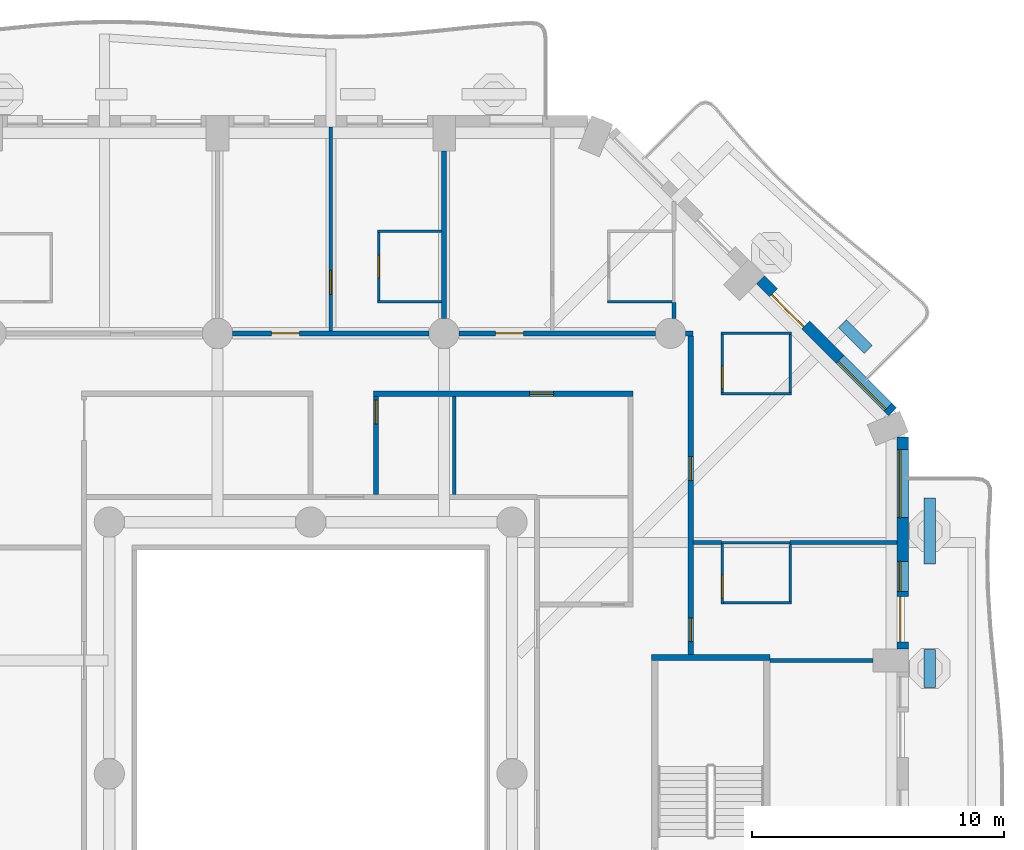
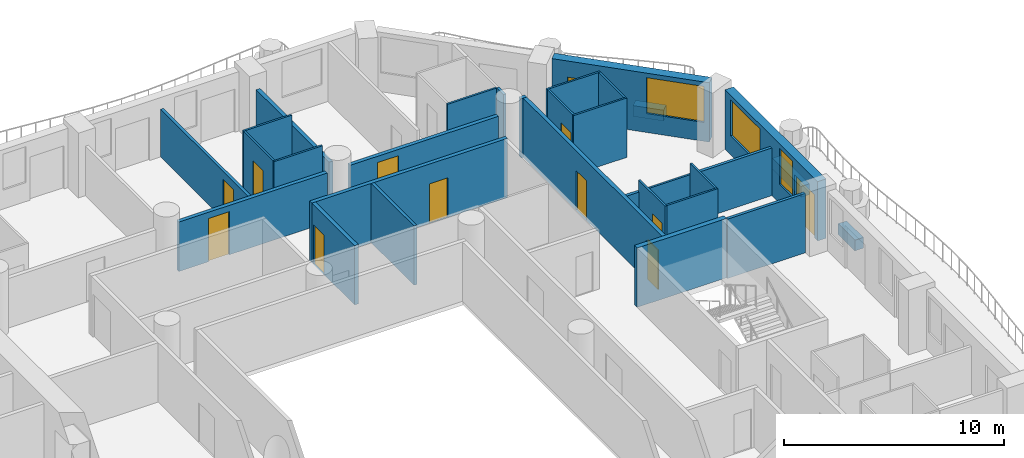
# One storey, part 9 of 20: 31 walls, 12 doors, 3 windows, 15 openings.
"""IFC4 building model written with IfcOpenShell, lengths in metres."""

import ifcopenshell
import ifcopenshell.guid

model = None  # the IFC model being written
_history = None  # IfcOwnerHistory: only IFC2X3 demands one
_inside = {}  # id of a spatial element -> (the spatial element, [elements in it])
_under = {}  # id of a project, library or spatial element -> (it, [spatial elements below it])
_declared = {}  # id of a project -> (the project, [libraries it declares])
_typed = {}  # id of a type object -> (the type object, [elements of that type])
_made_of = {}  # id of a material, layer set ... -> (it, [elements and type objects made of it])


def new_model(schema):
    """Start an empty IFC model of exactly this schema.

    Asked for "IFC4X3", IfcOpenShell would pick the latest addendum, in which some entities
    have other attributes; the version numbers below select the first issue.
    IFC2X3 requires an IfcOwnerHistory on every rooted entity: one is made here for all.
    """
    global model, _history
    if schema == "IFC4X3":
        model = ifcopenshell.file(schema_version=(4, 3, 0, 0))
    else:
        model = ifcopenshell.file(schema=schema)
    _inside.clear()
    _under.clear()
    _declared.clear()
    _typed.clear()
    _made_of.clear()
    _history = None
    if model.schema == "IFC2X3":
        org = make("IfcOrganization", Name="unknown")
        user = make(
            "IfcPersonAndOrganization",
            ThePerson=make("IfcPerson", FamilyName="unknown"),
            TheOrganization=org,
        )
        app = make(
            "IfcApplication",
            ApplicationDeveloper=org,
            Version="unknown",
            ApplicationFullName="unknown",
            ApplicationIdentifier="unknown",
        )
        _history = make(
            "IfcOwnerHistory",
            OwningUser=user,
            OwningApplication=app,
            ChangeAction="ADDED",
            CreationDate=0,
        )
    return model


def make(cls, **values):
    """One entity of the class cls with the attributes given. An attribute that is None is left unset."""
    return model.create_entity(
        cls, **{name: value for name, value in values.items() if value is not None}
    )


def rooted(cls, **values):
    """An entity with a GlobalId (a new one), such as an element, a storey or a relation."""
    return make(cls, GlobalId=ifcopenshell.guid.new(), OwnerHistory=_history, **values)


def si_unit(unit_type, name, prefix=None):
    """IfcSIUnit, for example si_unit("LENGTHUNIT", "METRE", prefix="MILLI")."""
    return make("IfcSIUnit", UnitType=unit_type, Prefix=prefix, Name=name)


def assignment(units):
    """IfcUnitAssignment: the units of a project."""
    return None if units is None else make("IfcUnitAssignment", Units=units)


def point(xyz):
    """IfcCartesianPoint."""
    return None if xyz is None else make("IfcCartesianPoint", Coordinates=xyz)


def direction(xyz):
    """IfcDirection."""
    return None if xyz is None else make("IfcDirection", DirectionRatios=xyz)


def frame(location, z_axis=None, x_axis=None):
    """IfcAxis2Placement3D, a coordinate frame: its origin and axes. An axis left out is left unset."""
    return make(
        "IfcAxis2Placement3D",
        Location=point(location),
        Axis=direction(z_axis),
        RefDirection=direction(x_axis),
    )


def frame_2d(location, x_axis=None):
    """IfcAxis2Placement2D, a coordinate frame in the plane: its origin and x axis."""
    return make(
        "IfcAxis2Placement2D", Location=point(location), RefDirection=direction(x_axis)
    )


def origin():
    """The frame at (0, 0, 0) with its axes left unset."""
    return frame((0.0, 0.0, 0.0))


def place(relative_to, where):
    """IfcLocalPlacement: puts the frame where relative to a parent placement (None: the world)."""
    return make(
        "IfcLocalPlacement", PlacementRelTo=relative_to, RelativePlacement=where
    )


def context(
    kind, dimensions, precision=None, world=None, true_north=None, identifier=None
):
    """IfcGeometricRepresentationContext, for example the 3D "Model" context."""
    return make(
        "IfcGeometricRepresentationContext",
        ContextIdentifier=identifier,
        ContextType=kind,
        CoordinateSpaceDimension=dimensions,
        Precision=precision,
        WorldCoordinateSystem=world,
        TrueNorth=true_north,
    )


def subcontext(parent, identifier, kind, view, scale=None):
    """IfcGeometricRepresentationSubContext, for example "Body" below "Model"."""
    return make(
        "IfcGeometricRepresentationSubContext",
        ContextIdentifier=identifier,
        ContextType=kind,
        ParentContext=parent,
        TargetScale=scale,
        TargetView=view,
    )


def project(units=None, contexts=None):
    """IfcProject with its units and contexts."""
    return rooted(
        "IfcProject",
        Name="project",
        RepresentationContexts=contexts,
        UnitsInContext=assignment(units),
    )


def spatial(cls, under=None, at=None, **own):
    """A site, building, storey or space (cls), placed at a placement, below another one or the project."""
    s = rooted(cls, ObjectPlacement=at, **own)
    if under is not None:
        _under.setdefault(under.id(), (under, []))[1].append(s)
    return s


def profile(cls, at=None, kind="AREA", **sizes):
    """A parametric profile (cls). Its sizes go by their IFC names, for example OverallWidth=200.0."""
    return make(cls, ProfileType=kind, Position=at, **sizes)


def rectangle(**sizes):
    """IfcRectangleProfileDef."""
    return profile("IfcRectangleProfileDef", **sizes)


def extrude(swept, where, along, depth):
    """IfcExtrudedAreaSolid: the profile swept, set in the frame where, extruded along a direction by depth."""
    return make(
        "IfcExtrudedAreaSolid",
        SweptArea=swept,
        Position=where,
        ExtrudedDirection=direction(along),
        Depth=depth,
    )


def shape(context_of_items, identifier, shape_type, items):
    """IfcShapeRepresentation: the items that make up one representation, for example the "Body"."""
    return make(
        "IfcShapeRepresentation",
        ContextOfItems=context_of_items,
        RepresentationIdentifier=identifier,
        RepresentationType=shape_type,
        Items=items,
    )


def material(Name=None, Category=None):
    """IfcMaterial."""
    return make("IfcMaterial", Name=Name, Category=Category)


def layer(
    of_material, thickness, ventilated=None, Name=None, Category=None, Priority=None
):
    """IfcMaterialLayer: one layer of a wall or slab, of a material (None: an air gap)."""
    return make(
        "IfcMaterialLayer",
        Material=of_material,
        LayerThickness=thickness,
        IsVentilated=ventilated,
        Name=Name,
        Category=Category,
        Priority=Priority,
    )


def layer_set(layers, Name=None):
    """IfcMaterialLayerSet."""
    return make("IfcMaterialLayerSet", MaterialLayers=layers, LayerSetName=Name)


def made_of(thing, what):
    """Note that an element or type object is made of a material, layer set ...; save() writes the relation."""
    if what is not None:
        _made_of.setdefault(what.id(), (what, []))[1].append(thing)
    return thing


def type_object(cls, material=None, **own):
    """A type object (cls), such as IfcWallType, which elements share."""
    return made_of(rooted(cls, **own), material)


def element(
    cls,
    number,
    at=None,
    inside=None,
    cuts=None,
    type_object=None,
    material=None,
    context=None,
    identifier="Body",
    shape_type=None,
    held_by="IfcProductDefinitionShape",
    body=None,
    shapes=None,
    **own,
):
    """One element of the class cls, such as IfcWall. Its Tag is "e" and its number.

    at: its placement. inside: the storey or other place that contains it. cuts: it is an
    opening in that element (IfcRelVoidsElement). A single representation is given by context,
    identifier, shape_type and body (its items); several are given by shapes. held_by: the class
    of the entity that holds the representations. save() writes the other relations.
    """
    e = rooted(cls, Tag="e%d" % number, ObjectPlacement=at, **own)
    if body is not None:
        shapes = [shape(context, identifier, shape_type, body)]
    if shapes is not None:
        e.Representation = make(held_by, Representations=shapes)
    if inside is not None:
        _inside.setdefault(inside.id(), (inside, []))[1].append(e)
    if cuts is not None:
        rooted(
            "IfcRelVoidsElement", RelatingBuildingElement=cuts, RelatedOpeningElement=e
        )
    if type_object is not None:
        _typed.setdefault(type_object.id(), (type_object, []))[1].append(e)
    return made_of(e, material)


def fill(opening, filler):
    """IfcRelFillsElement: the door or window that sits in an opening."""
    return rooted(
        "IfcRelFillsElement",
        RelatingOpeningElement=opening,
        RelatedBuildingElement=filler,
    )


def aggregate(whole, parts):
    """IfcRelAggregates: a whole, such as a stair, and the parts it consists of."""
    return rooted("IfcRelAggregates", RelatingObject=whole, RelatedObjects=parts)


def save(model, path):
    """Write the relations noted so far, then the file.

    IfcRelAggregates (storeys below a building ...), IfcRelContainedInSpatialStructure (elements
    in a storey), IfcRelDefinesByType, IfcRelAssociatesMaterial and IfcRelDeclares: one each for
    every whole, place, type object, material and project.
    """
    for whole, parts in _under.values():
        aggregate(whole, parts)
    for where, things in _inside.values():
        rooted(
            "IfcRelContainedInSpatialStructure",
            RelatedElements=things,
            RelatingStructure=where,
        )
    for kind, things in _typed.values():
        rooted("IfcRelDefinesByType", RelatedObjects=things, RelatingType=kind)
    for what, things in _made_of.values():
        rooted("IfcRelAssociatesMaterial", RelatedObjects=things, RelatingMaterial=what)
    for by, libraries in _declared.values():
        rooted("IfcRelDeclares", RelatingContext=by, RelatedDefinitions=libraries)
    model.write(path)


model = new_model("IFC4")

# Units and contexts
model_context = context("Model", 3, precision=1e-05, world=origin(), true_north=direction((0.0, 1.0)))
body_context = subcontext(model_context, "Body", "Model", "MODEL_VIEW")
ifc_project = project(units=[si_unit("LENGTHUNIT", "METRE"), si_unit("AREAUNIT", "SQUARE_METRE"), si_unit("VOLUMEUNIT", "CUBIC_METRE"), si_unit("PLANEANGLEUNIT", "RADIAN"), si_unit("MASSUNIT", "GRAM", prefix="KILO")], contexts=[model_context])

# Site, building, storey
site_placement = place(None, origin())
site = spatial("IfcSite", under=ifc_project, at=site_placement, CompositionType="ELEMENT")
building_placement = place(site_placement, origin())
building = spatial("IfcBuilding", under=site, at=building_placement, Name="Cypress Arch Tower", CompositionType="ELEMENT")
storey_placement = place(building_placement, frame((0.0, 0.0, 77.10009765625)))
storey = spatial("IfcBuildingStorey", under=building, at=storey_placement, Name="L13", CompositionType="ELEMENT", Elevation=77.10009765625)

# Walls
ifc_material_1 = material(Name="Concrete C40/50, waterproofed", Category="concrete")
ifc_layer_1 = layer(ifc_material_1, 0.449951171875)
ifc_layer_set_1 = layer_set([ifc_layer_1], Name="Balcony planter wall PW450")
wall_type_1 = type_object("IfcWallType", Name="Balcony planter wall PW450", PredefinedType="SOLIDWALL", material=ifc_layer_set_1)
wall_1_placement = place(storey_placement, frame((25.60009765625, 3.42138671875, 0.0), z_axis=(0.0, 0.0, 1.0), x_axis=(0.0, 1.0, 0.0)))
element("IfcWall", 1, at=wall_1_placement, inside=storey, type_object=wall_type_1, Name="Balcony planter wall L13-A06.2", PredefinedType="SOLIDWALL", context=body_context, shape_type="SweptSolid", body=[
    extrude(rectangle(XDim=1.5224609375, YDim=0.449951171875, at=frame_2d((0.76123046875, 0.0))), origin(), (0.0, 0.0, 1.0), 0.599853515625),
])
wall_2_placement = place(storey_placement, frame((25.60009765625, 8.335693359375, 0.0), z_axis=(0.0, 0.0, 1.0), x_axis=(0.0, 1.0, 0.0)))
element("IfcWall", 2, at=wall_2_placement, inside=storey, type_object=wall_type_1, Name="Balcony planter wall L13-A06.3", PredefinedType="SOLIDWALL", context=body_context, shape_type="SweptSolid", body=[
    extrude(rectangle(XDim=2.6142578125, YDim=0.449951171875, at=frame_2d((1.30712890625, 0.0))), origin(), (0.0, 0.0, 1.0), 0.599853515625),
])
wall_3_placement = place(storey_placement, frame((23.150390625, 16.86376953125, 0.0), z_axis=(0.0, 0.0, 1.0), x_axis=(-0.707106781187, 0.707106781187, 0.0)))
element("IfcWall", 3, at=wall_3_placement, inside=storey, type_object=wall_type_1, Name="Balcony planter wall L13-A07.1", PredefinedType="SOLIDWALL", context=body_context, shape_type="SweptSolid", body=[
    extrude(rectangle(XDim=1.44482421875, YDim=0.449951171875, at=frame_2d((0.722412109375, 0.0))), origin(), (0.0, 0.0, 1.0), 0.599853515625),
])

# Wall, openings, door, windows
ifc_material_2 = material(Name="Brick (red buff blend)", Category="masonry")
ifc_layer_2 = layer(ifc_material_2, 0.449951171875)
ifc_layer_set_2 = layer_set([ifc_layer_2], Name="Brick pier and spandrel wall BW450")
wall_type_2 = type_object("IfcWallType", Name="Brick pier and spandrel wall BW450", PredefinedType="SOLIDWALL", material=ifc_layer_set_2)
wall_4_placement = place(storey_placement, frame((24.52490234375, 4.949951171875, 0.0), z_axis=(0.0, 0.0, 1.0), x_axis=(0.0, 1.0, 0.0)))
wall_4 = element("IfcWall", 4, at=wall_4_placement, inside=storey, type_object=wall_type_2, Name="Brick wall L13 A06.3", PredefinedType="SOLIDWALL", context=body_context, shape_type="SweptSolid", body=[
    extrude(rectangle(XDim=8.438720703125, YDim=0.449951171875, at=frame_2d((4.21923828125, 0.0))), origin(), (0.0, 0.0, 1.0), 3.2998046875),
])
opening_1_placement = place(wall_4_placement, frame((0.2939453125, 0.0, 0.0)))
opening_1 = element("IfcOpeningElement", 5, at=opening_1_placement, cuts=wall_4, Name="Opening D-L13-A06.3.1", PredefinedType="OPENING", context=body_context, shape_type="SweptSolid", body=[
    extrude(rectangle(XDim=1.800048828125, YDim=2.39990234375, at=frame_2d((0.89990234375, 1.199951171875))), frame((0.0, 0.23486328125, 0.0), z_axis=(0.0, -1.0, 0.0), x_axis=(1.0, 0.0, 0.0)), (0.0, 0.0, 1.0), 0.469970703125),
])
opening_2_placement = place(wall_4_placement, frame((2.2939453125, 0.0, 1.050048828125)))
opening_2 = element("IfcOpeningElement", 6, at=opening_2_placement, cuts=wall_4, Name="Opening W120HD", PredefinedType="OPENING", context=body_context, shape_type="SweptSolid", body=[
    extrude(rectangle(XDim=1.199951171875, YDim=2.0, at=frame_2d((0.60009765625, 1.0))), frame((0.0, 0.23486328125, 0.0), z_axis=(0.0, -1.0, 0.0), x_axis=(1.0, 0.0, 0.0)), (0.0, 0.0, 1.0), 0.469970703125),
])
opening_3_placement = place(wall_4_placement, frame((5.231689453125, 0.0, 1.050048828125)))
opening_3 = element("IfcOpeningElement", 7, at=opening_3_placement, cuts=wall_4, Name="Opening W270HD", PredefinedType="OPENING", context=body_context, shape_type="SweptSolid", body=[
    extrude(rectangle(XDim=2.699951171875, YDim=2.0, at=frame_2d((1.35009765625, 1.0))), frame((0.0, 0.23486328125, 0.0), z_axis=(0.0, -1.0, 0.0), x_axis=(1.0, 0.0, 0.0)), (0.0, 0.0, 1.0), 0.469970703125),
])
ifc_material_3 = material(Name="Anodised aluminium, bronze finish, laminated low-emissivity double glazing, large-missile impact rated", Category="aluminium")
door_type_1 = type_object("IfcDoorType", Name="Balcony sliding door 1800x2400", OperationType="SLIDING_TO_LEFT", PredefinedType="DOOR", material=ifc_material_3)
door_1_placement = place(opening_1_placement, origin())
door_1 = element("IfcDoor", 8, at=door_1_placement, inside=storey, type_object=door_type_1, Name="Balcony door L13 A06.3.1", OperationType="SLIDING_TO_LEFT", OverallHeight=2.39990234375, OverallWidth=1.800048828125, PredefinedType="DOOR", context=body_context, shape_type="SweptSolid", body=[
    extrude(rectangle(XDim=1.800048828125, YDim=2.39990234375, at=frame_2d((0.89990234375, 1.199951171875))), frame((0.0, 0.1298828125, 0.0), z_axis=(0.0, -1.0, 0.0), x_axis=(1.0, 0.0, 0.0)), (0.0, 0.0, 1.0), 0.050048828125),
])
fill(opening_1, door_1)
ifc_material_4 = material(Name="Anodised aluminium, bronze finish, laminated low-emissivity double glazing, large-missile impact rated", Category="aluminium")
window_type_1 = type_object("IfcWindowType", Name="Window Hotel 1200x2000 debris-rated", PartitioningType="SINGLE_PANEL", PredefinedType="WINDOW", material=ifc_material_4)
window_1_placement = place(opening_2_placement, origin())
window_1 = element("IfcWindow", 9, at=window_1_placement, inside=storey, type_object=window_type_1, Name="Window L13 A06.3.1", OverallHeight=2.0, OverallWidth=1.199951171875, PartitioningType="SINGLE_PANEL", PredefinedType="WINDOW", context=body_context, shape_type="SweptSolid", body=[
    extrude(rectangle(XDim=1.199951171875, YDim=2.0, at=frame_2d((0.60009765625, 1.0))), frame((0.0, 0.135009765625, 0.0), z_axis=(0.0, -1.0, 0.0), x_axis=(1.0, 0.0, 0.0)), (0.0, 0.0, 1.0), 0.06005859375),
])
fill(opening_2, window_1)
ifc_material_5 = material(Name="Anodised aluminium, bronze finish, laminated low-emissivity double glazing, large-missile impact rated", Category="aluminium")
window_type_2 = type_object("IfcWindowType", Name="Window Hotel 2700x2000 debris-rated", PartitioningType="SINGLE_PANEL", PredefinedType="WINDOW", material=ifc_material_5)
window_2_placement = place(opening_3_placement, origin())
window_2 = element("IfcWindow", 10, at=window_2_placement, inside=storey, type_object=window_type_2, Name="Window L13 A06.3.2", OverallHeight=2.0, OverallWidth=2.699951171875, PartitioningType="SINGLE_PANEL", PredefinedType="WINDOW", context=body_context, shape_type="SweptSolid", body=[
    extrude(rectangle(XDim=2.699951171875, YDim=2.0, at=frame_2d((1.35009765625, 1.0))), frame((0.0, 0.135009765625, 0.0), z_axis=(0.0, -1.0, 0.0), x_axis=(1.0, 0.0, 0.0)), (0.0, 0.0, 1.0), 0.06005859375),
])
fill(opening_3, window_2)

# Wall, openings, door, window
wall_5_placement = place(storey_placement, frame((24.11474609375, 14.379150390625, 0.0), z_axis=(0.0, 0.0, 1.0), x_axis=(-0.707106781187, 0.707106781187, 0.0)))
wall_5 = element("IfcWall", 11, at=wall_5_placement, inside=storey, type_object=wall_type_2, Name="Brick wall L13 A07.0", PredefinedType="SOLIDWALL", context=body_context, shape_type="SweptSolid", body=[
    extrude(rectangle(XDim=7.423828125, YDim=0.449951171875, at=frame_2d((3.7119140625, 0.0))), origin(), (0.0, 0.0, 1.0), 3.2998046875),
])
opening_4_placement = place(wall_5_placement, frame((0.253173828125, 0.0, 1.050048828125)))
opening_4 = element("IfcOpeningElement", 12, at=opening_4_placement, cuts=wall_5, Name="Opening W270HD", PredefinedType="OPENING", context=body_context, shape_type="SweptSolid", body=[
    extrude(rectangle(XDim=2.699951171875, YDim=2.0, at=frame_2d((1.35009765625, 1.0))), frame((0.0, 0.23486328125, 0.0), z_axis=(0.0, -1.0, 0.0), x_axis=(1.0, 0.0, 0.0)), (0.0, 0.0, 1.0), 0.469970703125),
])
opening_5_placement = place(wall_5_placement, frame((4.8837890625, 0.0, 0.0)))
opening_5 = element("IfcOpeningElement", 13, at=opening_5_placement, cuts=wall_5, Name="Opening D-L13-A07.0.2", PredefinedType="OPENING", context=body_context, shape_type="SweptSolid", body=[
    extrude(rectangle(XDim=1.800048828125, YDim=2.39990234375, at=frame_2d((0.89990234375, 1.199951171875))), frame((0.0, 0.23486328125, 0.0), z_axis=(0.0, -1.0, 0.0), x_axis=(1.0, 0.0, 0.0)), (0.0, 0.0, 1.0), 0.469970703125),
])
door_2_placement = place(opening_5_placement, origin())
door_2 = element("IfcDoor", 14, at=door_2_placement, inside=storey, type_object=door_type_1, Name="Balcony door L13 A07.0.2", OperationType="SLIDING_TO_LEFT", OverallHeight=2.39990234375, OverallWidth=1.800048828125, PredefinedType="DOOR", context=body_context, shape_type="SweptSolid", body=[
    extrude(rectangle(XDim=1.800048828125, YDim=2.39990234375, at=frame_2d((0.89990234375, 1.199951171875))), frame((0.0, 0.1298828125, 0.0), z_axis=(0.0, -1.0, 0.0), x_axis=(1.0, 0.0, 0.0)), (0.0, 0.0, 1.0), 0.050048828125),
])
fill(opening_5, door_2)
window_3_placement = place(opening_4_placement, origin())
window_3 = element("IfcWindow", 15, at=window_3_placement, inside=storey, type_object=window_type_2, Name="Window L13 A07.0.1", OverallHeight=2.0, OverallWidth=2.699951171875, PartitioningType="SINGLE_PANEL", PredefinedType="WINDOW", context=body_context, shape_type="SweptSolid", body=[
    extrude(rectangle(XDim=2.699951171875, YDim=2.0, at=frame_2d((1.35009765625, 1.0))), frame((0.0, 0.135009765625, 0.0), z_axis=(0.0, -1.0, 0.0), x_axis=(1.0, 0.0, 0.0)), (0.0, 0.0, 1.0), 0.06005859375),
])
fill(opening_4, window_3)

# Wall, opening, door
ifc_material_6 = material(Name="Concrete blockwork, plastered, rated", Category="masonry")
ifc_layer_3 = layer(ifc_material_6, 0.199951171875)
ifc_layer_set_3 = layer_set([ifc_layer_3], Name="Corridor wall FW200")
wall_type_3 = type_object("IfcWallType", Name="Corridor wall FW200", PredefinedType="PARTITIONING", material=ifc_layer_set_3)
wall_6_placement = place(storey_placement, frame((-2.10009765625, 17.5, 0.0), z_axis=(0.0, 0.0, 1.0), x_axis=(1.0, 0.0, 0.0)))
wall_6 = element("IfcWall", 16, at=wall_6_placement, inside=storey, type_object=wall_type_3, Name="Corridor wall", PredefinedType="PARTITIONING", context=body_context, shape_type="SweptSolid", body=[
    extrude(rectangle(XDim=7.800048828125, YDim=0.199951171875, at=frame_2d((3.89990234375, 0.0))), origin(), (0.0, 0.0, 1.0), 2.75),
])
opening_6_placement = place(wall_6_placement, frame((1.550048828125, 0.0, 0.0)))
opening_6 = element("IfcOpeningElement", 17, at=opening_6_placement, cuts=wall_6, Name="Opening D01", PredefinedType="OPENING", context=body_context, shape_type="SweptSolid", body=[
    extrude(rectangle(XDim=1.10009765625, YDim=2.39990234375, at=frame_2d((0.550048828125, 1.199951171875))), frame((0.0, 0.10986328125, 0.0), z_axis=(0.0, -1.0, 0.0), x_axis=(1.0, 0.0, 0.0)), (0.0, 0.0, 1.0), 0.219970703125),
])
ifc_material_7 = material(Name="Timber flush door, fire resisting, self-closing", Category="wood")
door_type_2 = type_object("IfcDoorType", Name="Unit entrance door D01 1100x2400", OperationType="SINGLE_SWING_LEFT", PredefinedType="DOOR", material=ifc_material_7)
door_3_placement = place(opening_6_placement, origin())
door_3 = element("IfcDoor", 18, at=door_3_placement, inside=storey, type_object=door_type_2, Name="Unit entrance door", OperationType="SINGLE_SWING_RIGHT", OverallHeight=2.39990234375, OverallWidth=1.10009765625, PredefinedType="DOOR", context=body_context, shape_type="SweptSolid", body=[
    extrude(rectangle(XDim=1.10009765625, YDim=2.39990234375, at=frame_2d((0.550048828125, 1.199951171875))), frame((0.0, 0.02490234375, 0.0), z_axis=(0.0, -1.0, 0.0), x_axis=(1.0, 0.0, 0.0)), (0.0, 0.0, 1.0), 0.050048828125),
])
fill(opening_6, door_3)

wall_7_placement = place(storey_placement, frame((6.89990234375, 17.5, 0.0), z_axis=(0.0, 0.0, 1.0), x_axis=(1.0, 0.0, 0.0)))
wall_7 = element("IfcWall", 19, at=wall_7_placement, inside=storey, type_object=wall_type_3, Name="Corridor wall", PredefinedType="PARTITIONING", context=body_context, shape_type="SweptSolid", body=[
    extrude(rectangle(XDim=7.800048828125, YDim=0.199951171875, at=frame_2d((3.89990234375, 0.0))), origin(), (0.0, 0.0, 1.0), 2.75),
])
opening_7_placement = place(wall_7_placement, frame((1.449951171875, 0.0, 0.0)))
opening_7 = element("IfcOpeningElement", 20, at=opening_7_placement, cuts=wall_7, Name="Opening D01", PredefinedType="OPENING", context=body_context, shape_type="SweptSolid", body=[
    extrude(rectangle(XDim=1.10009765625, YDim=2.39990234375, at=frame_2d((0.550048828125, 1.199951171875))), frame((0.0, 0.10986328125, 0.0), z_axis=(0.0, -1.0, 0.0), x_axis=(1.0, 0.0, 0.0)), (0.0, 0.0, 1.0), 0.219970703125),
])
door_4_placement = place(opening_7_placement, origin())
door_4 = element("IfcDoor", 21, at=door_4_placement, inside=storey, type_object=door_type_2, Name="Unit entrance door", OperationType="SINGLE_SWING_RIGHT", OverallHeight=2.39990234375, OverallWidth=1.10009765625, PredefinedType="DOOR", context=body_context, shape_type="SweptSolid", body=[
    extrude(rectangle(XDim=1.10009765625, YDim=2.39990234375, at=frame_2d((0.550048828125, 1.199951171875))), frame((0.0, 0.02490234375, 0.0), z_axis=(0.0, -1.0, 0.0), x_axis=(1.0, 0.0, 0.0)), (0.0, 0.0, 1.0), 0.050048828125),
])
fill(opening_7, door_4)

# Wall
wall_8_placement = place(storey_placement, frame((15.89990234375, 17.5, 0.0), z_axis=(0.0, 0.0, 1.0), x_axis=(1.0, 0.0, 0.0)))
element("IfcWall", 22, at=wall_8_placement, inside=storey, type_object=wall_type_3, Name="Corridor wall", PredefinedType="PARTITIONING", context=body_context, shape_type="SweptSolid", body=[
    extrude(rectangle(XDim=0.300048828125, YDim=0.199951171875, at=frame_2d((0.14990234375, 0.0))), origin(), (0.0, 0.0, 1.0), 3.2998046875),
])

# Wall, opening, door
wall_9_placement = place(storey_placement, frame((3.60009765625, 11.10009765625, 0.0), z_axis=(0.0, 0.0, 1.0), x_axis=(0.0, 1.0, 0.0)))
wall_9 = element("IfcWall", 23, at=wall_9_placement, inside=storey, type_object=wall_type_3, Name="Corridor wall", PredefinedType="PARTITIONING", context=body_context, shape_type="SweptSolid", body=[
    extrude(rectangle(XDim=3.89990234375, YDim=0.199951171875, at=frame_2d((1.949951171875, 0.0))), origin(), (0.0, 0.0, 1.0), 3.2998046875),
])
opening_8_placement = place(wall_9_placement, frame((2.800048828125, 0.0, 0.0)))
opening_8 = element("IfcOpeningElement", 24, at=opening_8_placement, cuts=wall_9, Name="Opening D02", PredefinedType="OPENING", context=body_context, shape_type="SweptSolid", body=[
    extrude(rectangle(XDim=0.949951171875, YDim=2.199951171875, at=frame_2d((0.47509765625, 1.10009765625))), frame((0.0, 0.10986328125, 0.0), z_axis=(0.0, -1.0, 0.0), x_axis=(1.0, 0.0, 0.0)), (0.0, 0.0, 1.0), 0.219970703125),
])
ifc_material_8 = material(Name="Timber flush door, fire resisting", Category="wood")
door_type_3 = type_object("IfcDoorType", Name="Room door D02 950x2200", OperationType="SINGLE_SWING_LEFT", PredefinedType="DOOR", material=ifc_material_8)
door_5_placement = place(opening_8_placement, origin())
door_5 = element("IfcDoor", 25, at=door_5_placement, inside=storey, type_object=door_type_3, Name="Room door", OperationType="SINGLE_SWING_LEFT", OverallHeight=2.199951171875, OverallWidth=0.949951171875, PredefinedType="DOOR", context=body_context, shape_type="SweptSolid", body=[
    extrude(rectangle(XDim=0.949951171875, YDim=2.199951171875, at=frame_2d((0.47509765625, 1.10009765625))), frame((0.0, 0.02490234375, 0.0), z_axis=(0.0, -1.0, 0.0), x_axis=(1.0, 0.0, 0.0)), (0.0, 0.0, 1.0), 0.050048828125),
])
fill(opening_8, door_5)

wall_10_placement = place(storey_placement, frame((3.5, 15.10009765625, 0.0), z_axis=(0.0, 0.0, 1.0), x_axis=(1.0, 0.0, 0.0)))
wall_10 = element("IfcWall", 26, at=wall_10_placement, inside=storey, type_object=wall_type_3, Name="Corridor wall", PredefinedType="PARTITIONING", context=body_context, shape_type="SweptSolid", body=[
    extrude(rectangle(XDim=10.300048828125, YDim=0.199951171875, at=frame_2d((5.14990234375, 0.0))), origin(), (0.0, 0.0, 1.0), 3.2998046875),
])
opening_9_placement = place(wall_10_placement, frame((6.199951171875, 0.0, 0.0)))
opening_9 = element("IfcOpeningElement", 27, at=opening_9_placement, cuts=wall_10, Name="Opening D02", PredefinedType="OPENING", context=body_context, shape_type="SweptSolid", body=[
    extrude(rectangle(XDim=0.949951171875, YDim=2.199951171875, at=frame_2d((0.47509765625, 1.10009765625))), frame((0.0, 0.10986328125, 0.0), z_axis=(0.0, -1.0, 0.0), x_axis=(1.0, 0.0, 0.0)), (0.0, 0.0, 1.0), 0.219970703125),
])
door_6_placement = place(opening_9_placement, origin())
door_6 = element("IfcDoor", 28, at=door_6_placement, inside=storey, type_object=door_type_3, Name="Room door", OperationType="SINGLE_SWING_RIGHT", OverallHeight=2.199951171875, OverallWidth=0.949951171875, PredefinedType="DOOR", context=body_context, shape_type="SweptSolid", body=[
    extrude(rectangle(XDim=0.949951171875, YDim=2.199951171875, at=frame_2d((0.47509765625, 1.10009765625))), frame((0.0, 0.02490234375, 0.0), z_axis=(0.0, -1.0, 0.0), x_axis=(1.0, 0.0, 0.0)), (0.0, 0.0, 1.0), 0.050048828125),
])
fill(opening_9, door_6)

# Wall, openings, doors
wall_11_placement = place(storey_placement, frame((16.10009765625, 4.75, 0.0), z_axis=(0.0, 0.0, 1.0), x_axis=(0.0, 1.0, 0.0)))
wall_11 = element("IfcWall", 29, at=wall_11_placement, inside=storey, type_object=wall_type_3, Name="Corridor wall", PredefinedType="PARTITIONING", context=body_context, shape_type="SweptSolid", body=[
    extrude(rectangle(XDim=12.64990234375, YDim=0.199951171875, at=frame_2d((6.324951171875, 0.0))), origin(), (0.0, 0.0, 1.0), 3.2998046875),
])
opening_10_placement = place(wall_11_placement, frame((0.5, 0.0, 0.0)))
opening_10 = element("IfcOpeningElement", 30, at=opening_10_placement, cuts=wall_11, Name="Opening D02", PredefinedType="OPENING", context=body_context, shape_type="SweptSolid", body=[
    extrude(rectangle(XDim=0.949951171875, YDim=2.199951171875, at=frame_2d((0.47509765625, 1.10009765625))), frame((0.0, 0.10986328125, 0.0), z_axis=(0.0, -1.0, 0.0), x_axis=(1.0, 0.0, 0.0)), (0.0, 0.0, 1.0), 0.219970703125),
])
opening_11_placement = place(wall_11_placement, frame((6.89990234375, 0.0, 0.0)))
opening_11 = element("IfcOpeningElement", 31, at=opening_11_placement, cuts=wall_11, Name="Opening D02", PredefinedType="OPENING", context=body_context, shape_type="SweptSolid", body=[
    extrude(rectangle(XDim=0.949951171875, YDim=2.199951171875, at=frame_2d((0.47509765625, 1.10009765625))), frame((0.0, 0.10986328125, 0.0), z_axis=(0.0, -1.0, 0.0), x_axis=(1.0, 0.0, 0.0)), (0.0, 0.0, 1.0), 0.219970703125),
])
door_7_placement = place(opening_10_placement, origin())
door_7 = element("IfcDoor", 32, at=door_7_placement, inside=storey, type_object=door_type_3, Name="Room door", OperationType="SINGLE_SWING_RIGHT", OverallHeight=2.199951171875, OverallWidth=0.949951171875, PredefinedType="DOOR", context=body_context, shape_type="SweptSolid", body=[
    extrude(rectangle(XDim=0.949951171875, YDim=2.199951171875, at=frame_2d((0.47509765625, 1.10009765625))), frame((0.0, 0.02490234375, 0.0), z_axis=(0.0, -1.0, 0.0), x_axis=(1.0, 0.0, 0.0)), (0.0, 0.0, 1.0), 0.050048828125),
])
fill(opening_10, door_7)
door_8_placement = place(opening_11_placement, origin())
door_8 = element("IfcDoor", 33, at=door_8_placement, inside=storey, type_object=door_type_3, Name="Room door", OperationType="SINGLE_SWING_RIGHT", OverallHeight=2.199951171875, OverallWidth=0.949951171875, PredefinedType="DOOR", context=body_context, shape_type="SweptSolid", body=[
    extrude(rectangle(XDim=0.949951171875, YDim=2.199951171875, at=frame_2d((0.47509765625, 1.10009765625))), frame((0.0, 0.02490234375, 0.0), z_axis=(0.0, -1.0, 0.0), x_axis=(1.0, 0.0, 0.0)), (0.0, 0.0, 1.0), 0.050048828125),
])
fill(opening_11, door_8)

# Wall, opening, door
ifc_material_9 = material(Name="Blockwork, plastered both sides", Category="masonry")
ifc_layer_4 = layer(ifc_material_9, 0.14990234375)
ifc_layer_set_4 = layer_set([ifc_layer_4], Name="Partition PW150")
wall_type_4 = type_object("IfcWallType", Name="Partition PW150", PredefinedType="PARTITIONING", material=ifc_layer_set_4)
wall_12_placement = place(storey_placement, frame((1.800048828125, 17.60009765625, 0.0), z_axis=(0.0, 0.0, 1.0), x_axis=(0.0, 1.0, 0.0)))
wall_12 = element("IfcWall", 34, at=wall_12_placement, inside=storey, type_object=wall_type_4, Name="Partition", PredefinedType="PARTITIONING", context=body_context, shape_type="SweptSolid", body=[
    extrude(rectangle(XDim=8.099853515625, YDim=0.14990234375, at=frame_2d((4.0498046875, 0.0))), origin(), (0.0, 0.0, 1.0), 2.64990234375),
])
opening_12_placement = place(wall_12_placement, frame((1.449951171875, 0.0, 0.0)))
opening_12 = element("IfcOpeningElement", 35, at=opening_12_placement, cuts=wall_12, Name="Opening D12", PredefinedType="OPENING", context=body_context, shape_type="SweptSolid", body=[
    extrude(rectangle(XDim=0.949951171875, YDim=2.199951171875, at=frame_2d((0.47509765625, 1.10009765625))), frame((0.0, 0.0849609375, 0.0), z_axis=(0.0, -1.0, 0.0), x_axis=(1.0, 0.0, 0.0)), (0.0, 0.0, 1.0), 0.169921875),
])
ifc_material_10 = material(Name="Timber flush door", Category="wood")
door_type_4 = type_object("IfcDoorType", Name="Room door D12 950x2200", OperationType="SINGLE_SWING_LEFT", PredefinedType="DOOR", material=ifc_material_10)
door_9_placement = place(opening_12_placement, origin())
door_9 = element("IfcDoor", 36, at=door_9_placement, inside=storey, type_object=door_type_4, Name="Room door", OperationType="SINGLE_SWING_LEFT", OverallHeight=2.199951171875, OverallWidth=0.949951171875, PredefinedType="DOOR", context=body_context, shape_type="SweptSolid", body=[
    extrude(rectangle(XDim=0.949951171875, YDim=2.199951171875, at=frame_2d((0.47509765625, 1.10009765625))), frame((0.0, 0.02490234375, 0.0), z_axis=(0.0, -1.0, 0.0), x_axis=(1.0, 0.0, 0.0)), (0.0, 0.0, 1.0), 0.050048828125),
])
fill(opening_12, door_9)

# Walls
wall_13_placement = place(storey_placement, frame((6.699951171875, 11.10009765625, 0.0), z_axis=(0.0, 0.0, 1.0), x_axis=(0.0, 1.0, 0.0)))
element("IfcWall", 37, at=wall_13_placement, inside=storey, type_object=wall_type_4, Name="Partition", PredefinedType="PARTITIONING", context=body_context, shape_type="SweptSolid", body=[
    extrude(rectangle(XDim=3.89990234375, YDim=0.14990234375, at=frame_2d((1.949951171875, 0.0))), origin(), (0.0, 0.0, 1.0), 3.2998046875),
])
wall_14_placement = place(storey_placement, frame((15.431884765625, 18.093994140625, 0.0), z_axis=(0.0, 0.0, 1.0), x_axis=(0.0, 1.0, 0.0)))
element("IfcWall", 38, at=wall_14_placement, inside=storey, type_object=wall_type_4, Name="Partition", PredefinedType="PARTITIONING", context=body_context, shape_type="SweptSolid", body=[
    extrude(rectangle(XDim=0.635986328125, YDim=0.14990234375, at=frame_2d((0.31787109375, 0.0))), origin(), (0.0, 0.0, 1.0), 3.2998046875),
])
wall_15_placement = place(storey_placement, frame((16.199951171875, 9.18994140625, 0.0), z_axis=(0.0, 0.0, 1.0), x_axis=(1.0, 0.0, 0.0)))
element("IfcWall", 39, at=wall_15_placement, inside=storey, type_object=wall_type_4, Name="Partition", PredefinedType="PARTITIONING", context=body_context, shape_type="SweptSolid", body=[
    extrude(rectangle(XDim=1.130126953125, YDim=0.14990234375, at=frame_2d((0.56494140625, 0.0))), origin(), (0.0, 0.0, 1.0), 2.64990234375),
])
wall_16_placement = place(storey_placement, frame((19.25, 4.5, 0.0), z_axis=(0.0, 0.0, 1.0), x_axis=(1.0, 0.0, 0.0)))
element("IfcWall", 40, at=wall_16_placement, inside=storey, type_object=wall_type_4, Name="Partition", PredefinedType="PARTITIONING", context=body_context, shape_type="SweptSolid", body=[
    extrude(rectangle(XDim=4.10009765625, YDim=0.14990234375, at=frame_2d((2.050048828125, 0.0))), origin(), (0.0, 0.0, 1.0), 3.2998046875),
])
wall_17_placement = place(storey_placement, frame((20.050048828125, 9.18994140625, 0.0), z_axis=(0.0, 0.0, 1.0), x_axis=(1.0, 0.0, 0.0)))
element("IfcWall", 41, at=wall_17_placement, inside=storey, type_object=wall_type_4, Name="Partition", PredefinedType="PARTITIONING", context=body_context, shape_type="SweptSolid", body=[
    extrude(rectangle(XDim=4.25, YDim=0.14990234375, at=frame_2d((2.125, 0.0))), origin(), (0.0, 0.0, 1.0), 2.64990234375),
])
ifc_material_11 = material(Name="Dense blockwork, plastered both sides, acoustic and rated", Category="masonry")
ifc_layer_5 = layer(ifc_material_11, 0.199951171875)
ifc_layer_set_5 = layer_set([ifc_layer_5], Name="Party wall PW200")
wall_type_5 = type_object("IfcWallType", Name="Party wall PW200", PredefinedType="PARTITIONING", material=ifc_layer_set_5)
wall_18_placement = place(storey_placement, frame((6.300048828125, 18.10009765625, 0.0), z_axis=(0.0, 0.0, 1.0), x_axis=(0.0, 1.0, 0.0)))
element("IfcWall", 42, at=wall_18_placement, inside=storey, type_object=wall_type_5, Name="Party wall", PredefinedType="PARTITIONING", context=body_context, shape_type="SweptSolid", body=[
    extrude(rectangle(XDim=6.64990234375, YDim=0.199951171875, at=frame_2d((3.324951171875, 0.0))), origin(), (0.0, 0.0, 1.0), 2.75),
])
ifc_material_12 = material(Name="Concrete C50/60", Category="concrete")
ifc_layer_6 = layer(ifc_material_12, 0.25)
ifc_layer_set_6 = layer_set([ifc_layer_6], Name="Stair enclosure wall SW250")
wall_type_6 = type_object("IfcWallType", Name="Stair enclosure wall SW250", PredefinedType="SHEAR", material=ifc_layer_set_6)
wall_19_placement = place(storey_placement, frame((14.550048828125, 4.625, 0.0), z_axis=(0.0, 0.0, 1.0), x_axis=(1.0, 0.0, 0.0)))
element("IfcWall", 43, at=wall_19_placement, inside=storey, type_object=wall_type_6, Name="Stair enclosure wall", PredefinedType="SHEAR", context=body_context, shape_type="SweptSolid", body=[
    extrude(rectangle(XDim=4.699951171875, YDim=0.25, at=frame_2d((2.35009765625, 0.0))), origin(), (0.0, 0.0, 1.0), 3.2998046875),
])

# Wall, opening, door
ifc_material_13 = material(Name="Moisture resistant board on steel studs, tiled", Category="steel")
ifc_layer_7 = layer(ifc_material_13, 0.10009765625)
ifc_layer_set_7 = layer_set([ifc_layer_7], Name="Wet wall PW100")
wall_type_7 = type_object("IfcWallType", Name="Wet wall PW100", PredefinedType="PARTITIONING", material=ifc_layer_set_7)
wall_20_placement = place(storey_placement, frame((3.7041015625, 18.800048828125, 0.0), z_axis=(0.0, 0.0, 1.0), x_axis=(0.0, 1.0, 0.0)))
wall_20 = element("IfcWall", 44, at=wall_20_placement, inside=storey, type_object=wall_type_7, Name="Wet wall", PredefinedType="PARTITIONING", context=body_context, shape_type="SweptSolid", body=[
    extrude(rectangle(XDim=2.699951171875, YDim=0.10009765625, at=frame_2d((1.35009765625, 0.0))), origin(), (0.0, 0.0, 1.0), 3.2998046875),
])
opening_13_placement = place(wall_20_placement, frame((0.89990234375, 0.0, 0.0)))
opening_13 = element("IfcOpeningElement", 45, at=opening_13_placement, cuts=wall_20, Name="Opening D03", PredefinedType="OPENING", context=body_context, shape_type="SweptSolid", body=[
    extrude(rectangle(XDim=0.89990234375, YDim=2.199951171875, at=frame_2d((0.449951171875, 1.10009765625))), frame((0.0, 0.06005859375, 0.0), z_axis=(0.0, -1.0, 0.0), x_axis=(1.0, 0.0, 0.0)), (0.0, 0.0, 1.0), 0.1201171875),
])
ifc_material_14 = material(Name="Timber flush door, moisture resistant", Category="wood")
door_type_5 = type_object("IfcDoorType", Name="Bathroom door D03 900x2200", OperationType="SINGLE_SWING_LEFT", PredefinedType="DOOR", material=ifc_material_14)
door_10_placement = place(opening_13_placement, origin())
door_10 = element("IfcDoor", 46, at=door_10_placement, inside=storey, type_object=door_type_5, Name="Bathroom door", OperationType="SINGLE_SWING_LEFT", OverallHeight=2.199951171875, OverallWidth=0.89990234375, PredefinedType="DOOR", context=body_context, shape_type="SweptSolid", body=[
    extrude(rectangle(XDim=0.89990234375, YDim=2.199951171875, at=frame_2d((0.449951171875, 1.10009765625))), frame((0.0, 0.02490234375, 0.0), z_axis=(0.0, -1.0, 0.0), x_axis=(1.0, 0.0, 0.0)), (0.0, 0.0, 1.0), 0.050048828125),
])
fill(opening_13, door_10)

# Walls
for number, where, z_axis, x_axis, name in (
    (47, (3.654052734375, 18.75, 0.0), (0.0, 0.0, 1.0), (1.0, 0.0, 0.0), "Wet wall"),
    (48, (3.654052734375, 21.550048828125, 0.0), (0.0, 0.0, 1.0), (1.0, 0.0, 0.0), "Wet wall"),
):
    element("IfcWall", number, at=place(storey_placement, frame(where, z_axis=z_axis, x_axis=x_axis)), inside=storey, type_object=wall_type_7, Name=name, PredefinedType="PARTITIONING", context=body_context, shape_type="SweptSolid", body=[
        extrude(rectangle(XDim=2.5458984375, YDim=0.10009765625, at=frame_2d((1.27294921875, 0.0))), origin(), (0.0, 0.0, 1.0), 3.2998046875),
    ])
wall_21_placement = place(storey_placement, frame((12.785888671875, 18.75, 0.0), z_axis=(0.0, 0.0, 1.0), x_axis=(1.0, 0.0, 0.0)))
element("IfcWall", 49, at=wall_21_placement, inside=storey, type_object=wall_type_7, Name="Wet wall", PredefinedType="PARTITIONING", context=body_context, shape_type="SweptSolid", body=[
    extrude(rectangle(XDim=2.571044921875, YDim=0.10009765625, at=frame_2d((1.28564453125, 0.0))), origin(), (0.0, 0.0, 1.0), 3.2998046875),
])
wall_22_placement = place(storey_placement, frame((17.330078125, 9.18994140625, 0.0), z_axis=(0.0, 0.0, 1.0), x_axis=(1.0, 0.0, 0.0)))
element("IfcWall", 50, at=wall_22_placement, inside=storey, type_object=wall_type_7, Name="Wet wall", PredefinedType="PARTITIONING", context=body_context, shape_type="SweptSolid", body=[
    extrude(rectangle(XDim=2.719970703125, YDim=0.10009765625, at=frame_2d((1.35986328125, 0.0))), origin(), (0.0, 0.0, 1.0), 2.64990234375),
])

# Wall, opening, door
wall_23_placement = place(storey_placement, frame((17.35009765625, 9.139892578125, 0.0), z_axis=(0.0, 0.0, 1.0), x_axis=(0.000407580973, -0.999999916939, 0.0)))
wall_23 = element("IfcWall", 51, at=wall_23_placement, inside=storey, type_object=wall_type_7, Name="Wet wall", PredefinedType="PARTITIONING", context=body_context, shape_type="SweptSolid", body=[
    extrude(rectangle(XDim=2.39599609375, YDim=0.10009765625, at=frame_2d((1.197998046875, 0.0))), origin(), (0.0, 0.0, 1.0), 3.2998046875),
])
opening_14_placement = place(wall_23_placement, frame((1.25, 0.0, 0.0)))
opening_14 = element("IfcOpeningElement", 52, at=opening_14_placement, cuts=wall_23, Name="Opening D03", PredefinedType="OPENING", context=body_context, shape_type="SweptSolid", body=[
    extrude(rectangle(XDim=0.89990234375, YDim=2.199951171875, at=frame_2d((0.449951171875, 1.10009765625))), frame((0.0, 0.06005859375, 0.0), z_axis=(0.0, -1.0, 0.0), x_axis=(1.0, 0.0, 0.0)), (0.0, 0.0, 1.0), 0.1201171875),
])
door_11_placement = place(opening_14_placement, origin())
door_11 = element("IfcDoor", 53, at=door_11_placement, inside=storey, type_object=door_type_5, Name="Bathroom door", OperationType="SINGLE_SWING_RIGHT", OverallHeight=2.199951171875, OverallWidth=0.89990234375, PredefinedType="DOOR", context=body_context, shape_type="SweptSolid", body=[
    extrude(rectangle(XDim=0.89990234375, YDim=2.199951171875, at=frame_2d((0.449951171875, 1.10009765625))), frame((0.0, 0.02490234375, 0.0), z_axis=(0.0, -1.0, 0.0), x_axis=(1.0, 0.0, 0.0)), (0.0, 0.0, 1.0), 0.050048828125),
])
fill(opening_14, door_11)

wall_24_placement = place(storey_placement, frame((17.35009765625, 15.14990234375, 0.0), z_axis=(0.0, 0.0, 1.0), x_axis=(0.0, 1.0, 0.0)))
wall_24 = element("IfcWall", 54, at=wall_24_placement, inside=storey, type_object=wall_type_7, Name="Wet wall", PredefinedType="PARTITIONING", context=body_context, shape_type="SweptSolid", body=[
    extrude(rectangle(XDim=2.300048828125, YDim=0.10009765625, at=frame_2d((1.14990234375, 0.0))), origin(), (0.0, 0.0, 1.0), 3.2998046875),
])
opening_15_placement = place(wall_24_placement, frame((0.14990234375, 0.0, 0.0)))
opening_15 = element("IfcOpeningElement", 55, at=opening_15_placement, cuts=wall_24, Name="Opening D03", PredefinedType="OPENING", context=body_context, shape_type="SweptSolid", body=[
    extrude(rectangle(XDim=0.89990234375, YDim=2.199951171875, at=frame_2d((0.449951171875, 1.10009765625))), frame((0.0, 0.06005859375, 0.0), z_axis=(0.0, -1.0, 0.0), x_axis=(1.0, 0.0, 0.0)), (0.0, 0.0, 1.0), 0.1201171875),
])
door_12_placement = place(opening_15_placement, origin())
door_12 = element("IfcDoor", 56, at=door_12_placement, inside=storey, type_object=door_type_5, Name="Bathroom door", OperationType="SINGLE_SWING_RIGHT", OverallHeight=2.199951171875, OverallWidth=0.89990234375, PredefinedType="DOOR", context=body_context, shape_type="SweptSolid", body=[
    extrude(rectangle(XDim=0.89990234375, YDim=2.199951171875, at=frame_2d((0.449951171875, 1.10009765625))), frame((0.0, 0.02490234375, 0.0), z_axis=(0.0, -1.0, 0.0), x_axis=(1.0, 0.0, 0.0)), (0.0, 0.0, 1.0), 0.050048828125),
])
fill(opening_15, door_12)

# Walls
for number, where, z_axis, x_axis, name in (
    (57, (17.300048828125, 15.10009765625, 0.0), (0.0, 0.0, 1.0), (1.0, 0.0, 0.0), "Wet wall"),
    (58, (17.300048828125, 17.5, 0.0), (0.0, 0.0, 1.0), (1.0, 0.0, 0.0), "Wet wall"),
):
    element("IfcWall", number, at=place(storey_placement, frame(where, z_axis=z_axis, x_axis=x_axis)), inside=storey, type_object=wall_type_7, Name=name, PredefinedType="PARTITIONING", context=body_context, shape_type="SweptSolid", body=[
        extrude(rectangle(XDim=2.800048828125, YDim=0.10009765625, at=frame_2d((1.39990234375, 0.0))), origin(), (0.0, 0.0, 1.0), 3.2998046875),
    ])
wall_25_placement = place(storey_placement, frame((17.40087890625, 6.7939453125, 0.0), z_axis=(0.0, 0.0, 1.0), x_axis=(0.9999999346, 0.000361663629, 0.0)))
element("IfcWall", 59, at=wall_25_placement, inside=storey, type_object=wall_type_7, Name="Wet wall", PredefinedType="PARTITIONING", context=body_context, shape_type="SweptSolid", body=[
    extrude(rectangle(XDim=2.7001953125, YDim=0.10009765625, at=frame_2d((1.35009765625, 0.0))), origin(), (0.0, 0.0, 1.0), 3.2998046875),
])
wall_26_placement = place(storey_placement, frame((20.050048828125, 9.114990234375, 0.0), z_axis=(0.0, 0.0, 1.0), x_axis=(0.000430200003, -0.999999907464, 0.0)))
element("IfcWall", 60, at=wall_26_placement, inside=storey, type_object=wall_type_7, Name="Wet wall", PredefinedType="PARTITIONING", context=body_context, shape_type="SweptSolid", body=[
    extrude(rectangle(XDim=2.27001953125, YDim=0.10009765625, at=frame_2d((1.135009765625, 0.0))), origin(), (0.0, 0.0, 1.0), 3.2998046875),
])
wall_27_placement = place(storey_placement, frame((20.050048828125, 15.14990234375, 0.0), z_axis=(0.0, 0.0, 1.0), x_axis=(0.0, 1.0, 0.0)))
element("IfcWall", 61, at=wall_27_placement, inside=storey, type_object=wall_type_7, Name="Wet wall", PredefinedType="PARTITIONING", context=body_context, shape_type="SweptSolid", body=[
    extrude(rectangle(XDim=2.300048828125, YDim=0.10009765625, at=frame_2d((1.14990234375, 0.0))), origin(), (0.0, 0.0, 1.0), 3.2998046875),
])

save(model, "model.ifc")
